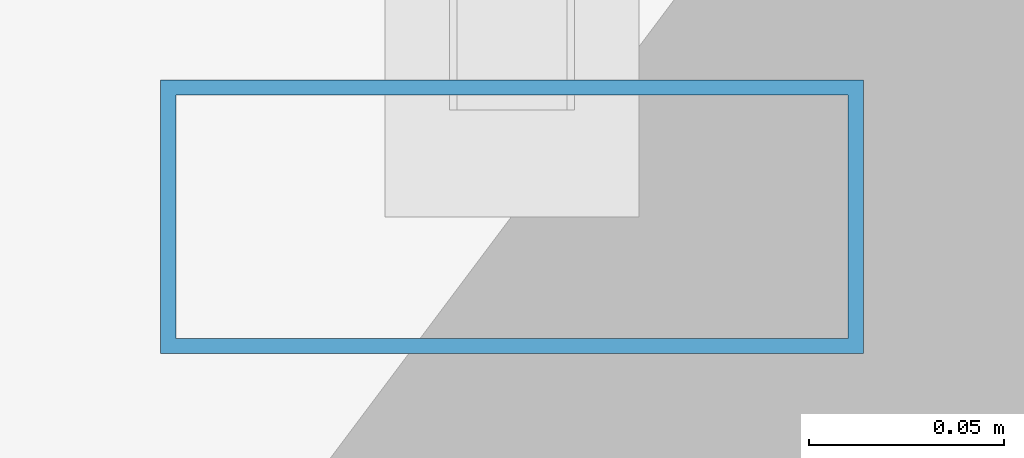
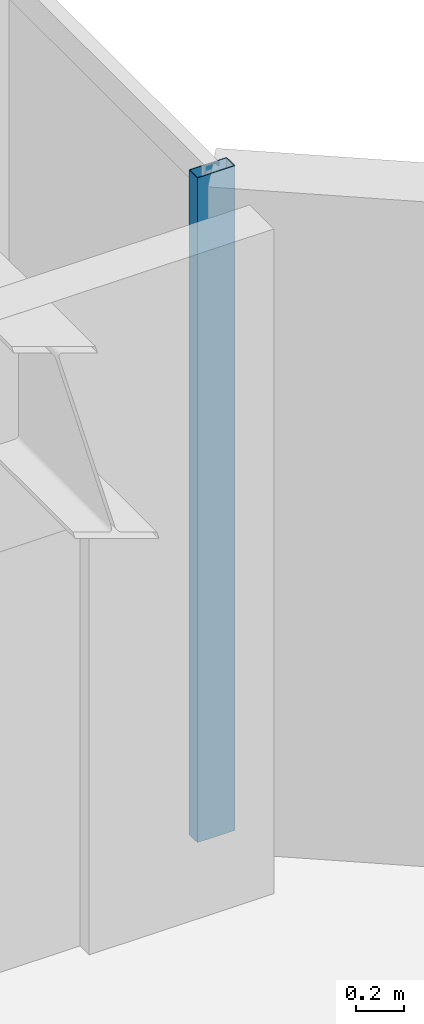
# One storey, part 15 of 27: 1 member, 1 element without a shape of its own.
"""IFC4 building model written with IfcOpenShell, lengths in metres."""

from ifc_helpers import new_model, si_unit, direction, frame, origin, origin_2d, place, context, subcontext, project, spatial, hollow_rectangle, extrude, material, layer, layer_set, material_profile, profile_set, type_object, element, aggregate, save


model = new_model("IFC4")

# Units and contexts
model_context = context("Model", 3, precision=1e-05, world=origin(), true_north=direction((0.0, 1.0)))
body_context = subcontext(model_context, "Body", "Model", "MODEL_VIEW")
ifc_project = project(units=[si_unit("LENGTHUNIT", "METRE"), si_unit("AREAUNIT", "SQUARE_METRE"), si_unit("VOLUMEUNIT", "CUBIC_METRE"), si_unit("PLANEANGLEUNIT", "RADIAN"), si_unit("MASSUNIT", "GRAM", prefix="KILO")], contexts=[model_context])

# Site, building, storey
site_placement = place(None, origin())
site = spatial("IfcSite", under=ifc_project, at=site_placement, CompositionType="ELEMENT")
building_placement = place(site_placement, origin())
building = spatial("IfcBuilding", under=site, at=building_placement, Name="Hatsunagi Terrace Concourse", CompositionType="ELEMENT")
storey_placement = place(building_placement, frame((0.0, 0.0, 174.449951171875)))
storey = spatial("IfcBuildingStorey", under=building, at=storey_placement, Name="L46", CompositionType="ELEMENT", Elevation=174.449951171875)

# Curtain wall, member
ifc_material_1 = material(Name="Anodised Aluminium Alloy 6063-T5", Category="aluminium")
ifc_layer = layer(ifc_material_1, 0.199951171875)
ifc_layer_set = layer_set([ifc_layer], Name="OfficeZone1_CW03")
curtain_wall_type = type_object("IfcCurtainWallType", Name="OfficeZone1_CW03", PredefinedType="NOTDEFINED", material=ifc_layer_set)
curtain_wall_placement = place(storey_placement, origin())
curtain_wall = element("IfcCurtainWall", 1, at=curtain_wall_placement, inside=storey, type_object=curtain_wall_type, Name="Unitised Curtain Wall CW-03 CW-L46-13", PredefinedType="NOTDEFINED")
ifc_material_2 = material(Name="Anodised Aluminium Alloy 6063-T5", Category="aluminium")
ifc_material_profile = material_profile(ifc_material_2, hollow_rectangle(XDim=0.070068359375, YDim=0.179931640625, WallThickness=0.00390625, at=origin_2d()), Name="ALU-MUL-180x70x4")
ifc_profile_set = profile_set([ifc_material_profile], Name="Anodised Aluminium Alloy 6063-T5")
member_type = type_object("IfcMemberType", Name="CurtainWallMullion_180x70", PredefinedType="MULLION", material=ifc_profile_set)
member_placement = place(storey_placement, frame((44.860107421875, 40.72998046875, 0.0), z_axis=(0.0, 0.0, 1.0), x_axis=(0.0, -1.0, 0.0)))
member = element("IfcMember", 2, at=member_placement, type_object=member_type, Name="Curtain Wall Mullion MUL-02", PredefinedType="MULLION", context=body_context, shape_type="SweptSolid", body=[
    extrude(hollow_rectangle(XDim=0.070068359375, YDim=0.179931640625, WallThickness=0.00390625, at=origin_2d()), origin(), (0.0, 0.0, 1.0), 3.35009765625),
])
aggregate(curtain_wall, [member])

save(model, "model.ifc")
